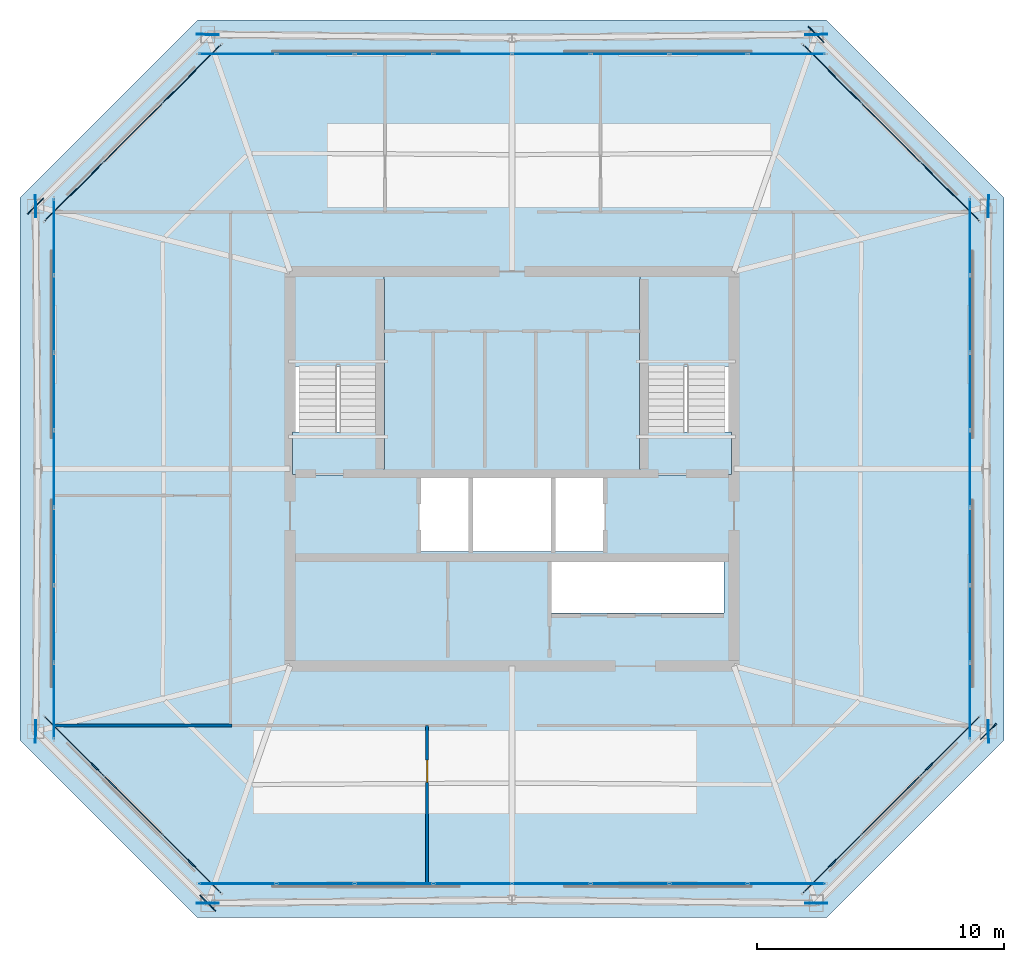
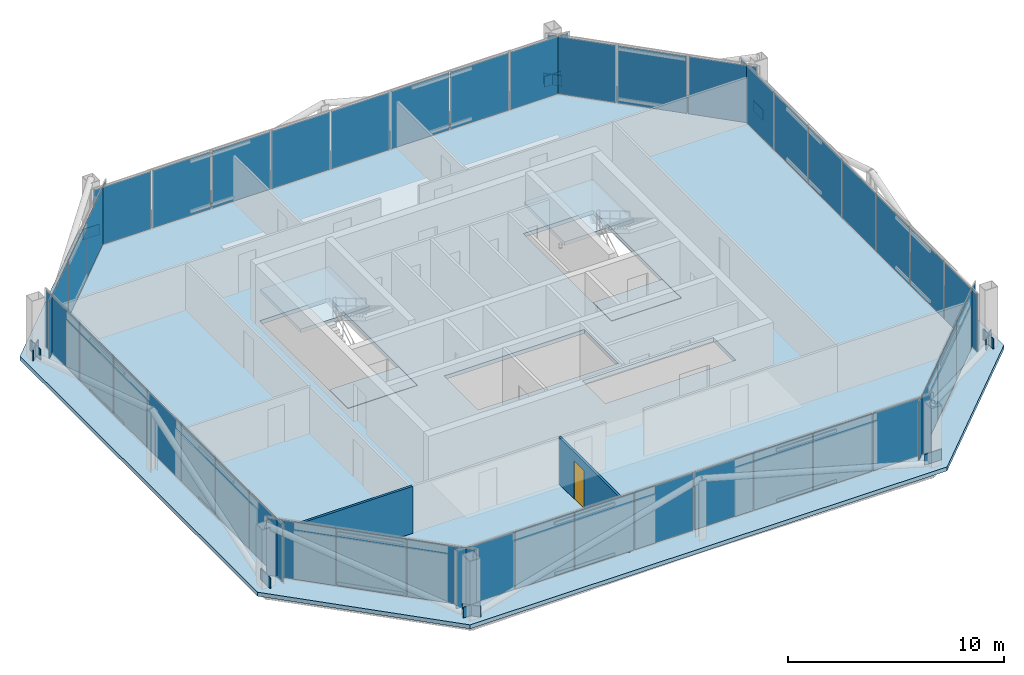
# One storey, part 22 of 26: 54 plates, 5 slabs, 2 walls, 1 door, 1 opening, 10 elements without a shape of their own.
"""IFC4 building model written with IfcOpenShell, lengths in metres."""

from ifc_helpers import new_model, si_unit, direction, frame, frame_2d, origin, origin_2d, place, context, subcontext, project, spatial, polyline, rectangle, outline, extrude, material, layer, layer_set, type_object, element, fill, aggregate, save


model = new_model("IFC4")

# Units and contexts
model_context = context("Model", 3, precision=1e-05, world=origin(), true_north=direction((0.0, 1.0)))
body_context = subcontext(model_context, "Body", "Model", "MODEL_VIEW")
ifc_project = project(units=[si_unit("LENGTHUNIT", "METRE"), si_unit("AREAUNIT", "SQUARE_METRE"), si_unit("VOLUMEUNIT", "CUBIC_METRE"), si_unit("PLANEANGLEUNIT", "RADIAN"), si_unit("MASSUNIT", "GRAM", prefix="KILO")], contexts=[model_context])

# Site, building, storey
site_placement = place(None, origin())
site = spatial("IfcSite", under=ifc_project, at=site_placement, CompositionType="ELEMENT")
building_placement = place(site_placement, origin())
building = spatial("IfcBuilding", under=site, at=building_placement, Name="Caelvoria Tower", CompositionType="ELEMENT")
storey_placement = place(building_placement, frame((0.0, 0.0, 239.39990234375)))
storey = spatial("IfcBuildingStorey", under=building, at=storey_placement, Name="L63", CompositionType="ELEMENT", Elevation=239.39990234375)

# Curtain wall, plates
ifc_material_1 = material(Name="Anodised Bronze Aluminium and Low-E Glass", Category="aluminium")
ifc_layer_1 = layer(ifc_material_1, 0.175048828125, Name="Anodised Bronze Aluminium and Low-E Glass")
ifc_layer_set_1 = layer_set([ifc_layer_1], Name="CW System 4 High-Zone Tapered Crystal Facade - Anodised Bronze Aluminium and Low-E Glass")
curtain_wall_type = type_object("IfcCurtainWallType", Name="CW System 4 High-Zone Tapered Crystal Facade", PredefinedType="NOTDEFINED", material=ifc_layer_set_1)
curtain_wall_1_placement = place(storey_placement, origin())
curtain_wall_1 = element("IfcCurtainWall", 1, at=curtain_wall_1_placement, inside=storey, type_object=curtain_wall_type, Name="CW-04 Curtain Wall L63-E0", PredefinedType="NOTDEFINED")
ifc_material_2 = material(Name="Anodised Bronze Insulated Aluminium Panel", Category="aluminium")
ifc_layer_2 = layer(ifc_material_2, 0.031982421875, Name="Anodised Bronze Insulated Aluminium Panel")
ifc_layer_set_2 = layer_set([ifc_layer_2], Name="Insulated Bronze Spandrel Curtain Panel 32 - Anodised Bronze Insulated Aluminium Panel")
plate_type_1 = type_object("IfcPlateType", Name="Insulated Bronze Spandrel Curtain Panel 32", PredefinedType="CURTAIN_PANEL", material=ifc_layer_set_2)
plate_1_placement = place(storey_placement, frame((34.860107421875, 15.179931640625, 0.06494140625), z_axis=(0.0, 0.0, 1.0), x_axis=(1.0, 0.0, 0.0)))
plate_1 = element("IfcPlate", 2, at=plate_1_placement, type_object=plate_type_1, Name="CW-04 panel 1.1", PredefinedType="CURTAIN_PANEL", context=body_context, shape_type="SweptSolid", body=[
    extrude(rectangle(XDim=3.090087890625, YDim=0.031982421875, at=origin_2d()), origin(), (0.0, 0.0, 1.0), 3.2451171875),
])
plate_2_placement = place(storey_placement, frame((38.03125, 15.179931640625, 0.06494140625), z_axis=(0.0, 0.0, 1.0), x_axis=(1.0, 0.0, 0.0)))
plate_2 = element("IfcPlate", 3, at=plate_2_placement, type_object=plate_type_1, Name="CW-04 panel 2.1", PredefinedType="CURTAIN_PANEL", context=body_context, shape_type="SweptSolid", body=[
    extrude(rectangle(XDim=3.12255859375, YDim=0.031982421875, at=origin_2d()), origin(), (0.0, 0.0, 1.0), 3.2451171875),
])
plate_3_placement = place(storey_placement, frame((41.21875, 15.179931640625, 0.06494140625), z_axis=(0.0, 0.0, 1.0), x_axis=(1.0, 0.0, 0.0)))
plate_3 = element("IfcPlate", 4, at=plate_3_placement, type_object=plate_type_1, Name="CW-04 panel 3.1", PredefinedType="CURTAIN_PANEL", context=body_context, shape_type="SweptSolid", body=[
    extrude(rectangle(XDim=3.12255859375, YDim=0.031982421875, at=origin_2d()), origin(), (0.0, 0.0, 1.0), 3.2451171875),
])
plate_4_placement = place(storey_placement, frame((44.40625, 15.179931640625, 0.06494140625), z_axis=(0.0, 0.0, 1.0), x_axis=(1.0, 0.0, 0.0)))
plate_4 = element("IfcPlate", 5, at=plate_4_placement, type_object=plate_type_1, Name="CW-04 panel 4.1", PredefinedType="CURTAIN_PANEL", context=body_context, shape_type="SweptSolid", body=[
    extrude(rectangle(XDim=3.12255859375, YDim=0.031982421875, at=origin_2d()), origin(), (0.0, 0.0, 1.0), 3.2451171875),
])
plate_5_placement = place(storey_placement, frame((47.59375, 15.179931640625, 0.06494140625), z_axis=(0.0, 0.0, 1.0), x_axis=(1.0, 0.0, 0.0)))
plate_5 = element("IfcPlate", 6, at=plate_5_placement, type_object=plate_type_1, Name="CW-04 panel 5.1", PredefinedType="CURTAIN_PANEL", context=body_context, shape_type="SweptSolid", body=[
    extrude(rectangle(XDim=3.12255859375, YDim=0.031982421875, at=origin_2d()), origin(), (0.0, 0.0, 1.0), 3.2451171875),
])
plate_6_placement = place(storey_placement, frame((50.78125, 15.179931640625, 0.06494140625), z_axis=(0.0, 0.0, 1.0), x_axis=(1.0, 0.0, 0.0)))
plate_6 = element("IfcPlate", 7, at=plate_6_placement, type_object=plate_type_1, Name="CW-04 panel 6.1", PredefinedType="CURTAIN_PANEL", context=body_context, shape_type="SweptSolid", body=[
    extrude(rectangle(XDim=3.12255859375, YDim=0.031982421875, at=origin_2d()), origin(), (0.0, 0.0, 1.0), 3.2451171875),
])
plate_7_placement = place(storey_placement, frame((53.96875, 15.179931640625, 0.06494140625), z_axis=(0.0, 0.0, 1.0), x_axis=(1.0, 0.0, 0.0)))
plate_7 = element("IfcPlate", 8, at=plate_7_placement, type_object=plate_type_1, Name="CW-04 panel 7.1", PredefinedType="CURTAIN_PANEL", context=body_context, shape_type="SweptSolid", body=[
    extrude(rectangle(XDim=3.12255859375, YDim=0.031982421875, at=origin_2d()), origin(), (0.0, 0.0, 1.0), 3.2451171875),
])
plate_8_placement = place(storey_placement, frame((57.139892578125, 15.179931640625, 0.06494140625), z_axis=(0.0, 0.0, 1.0), x_axis=(1.0, 0.0, 0.0)))
plate_8 = element("IfcPlate", 9, at=plate_8_placement, type_object=plate_type_1, Name="CW-04 panel 8.1", PredefinedType="CURTAIN_PANEL", context=body_context, shape_type="SweptSolid", body=[
    extrude(rectangle(XDim=3.090087890625, YDim=0.031982421875, at=origin_2d()), origin(), (0.0, 0.0, 1.0), 3.2451171875),
])
aggregate(curtain_wall_1, [plate_1, plate_2, plate_3, plate_4, plate_5, plate_6, plate_7, plate_8])

curtain_wall_2_placement = place(storey_placement, origin())
curtain_wall_2 = element("IfcCurtainWall", 10, at=curtain_wall_2_placement, inside=storey, type_object=curtain_wall_type, Name="CW-04 Curtain Wall L63-E1", PredefinedType="NOTDEFINED")
plate_9_placement = place(storey_placement, frame((58.985595703125, 15.9873046875, 0.06494140625), z_axis=(0.0, 0.0, 1.0), x_axis=(0.707106781187, 0.707106781187, 0.0)))
plate_9 = element("IfcPlate", 11, at=plate_9_placement, type_object=plate_type_1, Name="CW-04 panel 1.1", PredefinedType="CURTAIN_PANEL", context=body_context, shape_type="SweptSolid", body=[
    extrude(rectangle(XDim=3.296630859375, YDim=0.031982421875, at=origin_2d()), origin(), (0.0, 0.0, 1.0), 3.2451171875),
])
plate_10_placement = place(storey_placement, frame((61.374267578125, 18.375732421875, 0.06494140625), z_axis=(0.0, 0.0, 1.0), x_axis=(0.707106781187, 0.707106781187, 0.0)))
plate_10 = element("IfcPlate", 12, at=plate_10_placement, type_object=plate_type_1, Name="CW-04 panel 2.1", PredefinedType="CURTAIN_PANEL", context=body_context, shape_type="SweptSolid", body=[
    extrude(rectangle(XDim=3.3291015625, YDim=0.031982421875, at=origin_2d()), origin(), (0.0, 0.0, 1.0), 3.2451171875),
])
plate_11_placement = place(storey_placement, frame((63.7626953125, 20.764404296875, 0.06494140625), z_axis=(0.0, 0.0, 1.0), x_axis=(0.707106781187, 0.707106781187, 0.0)))
plate_11 = element("IfcPlate", 13, at=plate_11_placement, type_object=plate_type_1, Name="CW-04 panel 3.1", PredefinedType="CURTAIN_PANEL", context=body_context, shape_type="SweptSolid", body=[
    extrude(rectangle(XDim=3.296630859375, YDim=0.031982421875, at=origin_2d()), origin(), (0.0, 0.0, 1.0), 3.2451171875),
])
aggregate(curtain_wall_2, [plate_9, plate_10, plate_11])

curtain_wall_3_placement = place(storey_placement, origin())
curtain_wall_3 = element("IfcCurtainWall", 14, at=curtain_wall_3_placement, inside=storey, type_object=curtain_wall_type, Name="CW-04 Curtain Wall L63-E2", PredefinedType="NOTDEFINED")
plate_12_placement = place(storey_placement, frame((64.570068359375, 22.587646484375, 0.06494140625), z_axis=(0.0, 0.0, 1.0), x_axis=(0.0, 1.0, 0.0)))
plate_12 = element("IfcPlate", 15, at=plate_12_placement, type_object=plate_type_1, Name="CW-04 panel 1.1", PredefinedType="CURTAIN_PANEL", context=body_context, shape_type="SweptSolid", body=[
    extrude(rectangle(XDim=3.04541015625, YDim=0.031982421875, at=origin_2d()), origin(), (0.0, 0.0, 1.0), 3.2451171875),
])
plate_13_placement = place(storey_placement, frame((64.570068359375, 25.71435546875, 0.06494140625), z_axis=(0.0, 0.0, 1.0), x_axis=(0.0, 1.0, 0.0)))
plate_13 = element("IfcPlate", 16, at=plate_13_placement, type_object=plate_type_1, Name="CW-04 panel 2.1", PredefinedType="CURTAIN_PANEL", context=body_context, shape_type="SweptSolid", body=[
    extrude(rectangle(XDim=3.077880859375, YDim=0.031982421875, at=origin_2d()), origin(), (0.0, 0.0, 1.0), 3.2451171875),
])
plate_14_placement = place(storey_placement, frame((64.570068359375, 28.857177734375, 0.06494140625), z_axis=(0.0, 0.0, 1.0), x_axis=(0.0, 1.0, 0.0)))
plate_14 = element("IfcPlate", 17, at=plate_14_placement, type_object=plate_type_1, Name="CW-04 panel 3.1", PredefinedType="CURTAIN_PANEL", context=body_context, shape_type="SweptSolid", body=[
    extrude(rectangle(XDim=3.077880859375, YDim=0.031982421875, at=origin_2d()), origin(), (0.0, 0.0, 1.0), 3.2451171875),
])
plate_15_placement = place(storey_placement, frame((64.570068359375, 32.0, 0.06494140625), z_axis=(0.0, 0.0, 1.0), x_axis=(0.0, 1.0, 0.0)))
plate_15 = element("IfcPlate", 18, at=plate_15_placement, type_object=plate_type_1, Name="CW-04 panel 4.1", PredefinedType="CURTAIN_PANEL", context=body_context, shape_type="SweptSolid", body=[
    extrude(rectangle(XDim=3.077880859375, YDim=0.031982421875, at=origin_2d()), origin(), (0.0, 0.0, 1.0), 3.2451171875),
])
plate_16_placement = place(storey_placement, frame((64.570068359375, 35.142822265625, 0.06494140625), z_axis=(0.0, 0.0, 1.0), x_axis=(0.0, 1.0, 0.0)))
plate_16 = element("IfcPlate", 19, at=plate_16_placement, type_object=plate_type_1, Name="CW-04 panel 5.1", PredefinedType="CURTAIN_PANEL", context=body_context, shape_type="SweptSolid", body=[
    extrude(rectangle(XDim=3.077880859375, YDim=0.031982421875, at=origin_2d()), origin(), (0.0, 0.0, 1.0), 3.2451171875),
])
plate_17_placement = place(storey_placement, frame((64.570068359375, 38.28564453125, 0.06494140625), z_axis=(0.0, 0.0, 1.0), x_axis=(0.0, 1.0, 0.0)))
plate_17 = element("IfcPlate", 20, at=plate_17_placement, type_object=plate_type_1, Name="CW-04 panel 6.1", PredefinedType="CURTAIN_PANEL", context=body_context, shape_type="SweptSolid", body=[
    extrude(rectangle(XDim=3.077880859375, YDim=0.031982421875, at=origin_2d()), origin(), (0.0, 0.0, 1.0), 3.2451171875),
])
plate_18_placement = place(storey_placement, frame((64.570068359375, 41.412353515625, 0.06494140625), z_axis=(0.0, 0.0, 1.0), x_axis=(0.0, 1.0, 0.0)))
plate_18 = element("IfcPlate", 21, at=plate_18_placement, type_object=plate_type_1, Name="CW-04 panel 7.1", PredefinedType="CURTAIN_PANEL", context=body_context, shape_type="SweptSolid", body=[
    extrude(rectangle(XDim=3.04541015625, YDim=0.031982421875, at=origin_2d()), origin(), (0.0, 0.0, 1.0), 3.2451171875),
])
aggregate(curtain_wall_3, [plate_12, plate_13, plate_14, plate_15, plate_16, plate_17, plate_18])

curtain_wall_4_placement = place(storey_placement, origin())
curtain_wall_4 = element("IfcCurtainWall", 22, at=curtain_wall_4_placement, inside=storey, type_object=curtain_wall_type, Name="CW-04 Curtain Wall L63-E3", PredefinedType="NOTDEFINED")
plate_19_placement = place(storey_placement, frame((63.7626953125, 43.235595703125, 0.06494140625), z_axis=(0.0, 0.0, 1.0), x_axis=(-0.707106781187, 0.707106781187, 0.0)))
plate_19 = element("IfcPlate", 23, at=plate_19_placement, type_object=plate_type_1, Name="CW-04 panel 1.1", PredefinedType="CURTAIN_PANEL", context=body_context, shape_type="SweptSolid", body=[
    extrude(rectangle(XDim=3.296630859375, YDim=0.031982421875, at=origin_2d()), origin(), (0.0, 0.0, 1.0), 3.2451171875),
])
plate_20_placement = place(storey_placement, frame((61.374267578125, 45.624267578125, 0.06494140625), z_axis=(0.0, 0.0, 1.0), x_axis=(-0.707106781187, 0.707106781187, 0.0)))
plate_20 = element("IfcPlate", 24, at=plate_20_placement, type_object=plate_type_1, Name="CW-04 panel 2.1", PredefinedType="CURTAIN_PANEL", context=body_context, shape_type="SweptSolid", body=[
    extrude(rectangle(XDim=3.3291015625, YDim=0.031982421875, at=origin_2d()), origin(), (0.0, 0.0, 1.0), 3.2451171875),
])
plate_21_placement = place(storey_placement, frame((58.985595703125, 48.0126953125, 0.06494140625), z_axis=(0.0, 0.0, 1.0), x_axis=(-0.707106781187, 0.707106781187, 0.0)))
plate_21 = element("IfcPlate", 25, at=plate_21_placement, type_object=plate_type_1, Name="CW-04 panel 3.1", PredefinedType="CURTAIN_PANEL", context=body_context, shape_type="SweptSolid", body=[
    extrude(rectangle(XDim=3.296630859375, YDim=0.031982421875, at=origin_2d()), origin(), (0.0, 0.0, 1.0), 3.2451171875),
])
aggregate(curtain_wall_4, [plate_19, plate_20, plate_21])

curtain_wall_5_placement = place(storey_placement, origin())
curtain_wall_5 = element("IfcCurtainWall", 26, at=curtain_wall_5_placement, inside=storey, type_object=curtain_wall_type, Name="CW-04 Curtain Wall L63-E4", PredefinedType="NOTDEFINED")
plate_22_placement = place(storey_placement, frame((57.139892578125, 48.820068359375, 0.06494140625), z_axis=(0.0, 0.0, 1.0), x_axis=(-1.0, 0.0, 0.0)))
plate_22 = element("IfcPlate", 27, at=plate_22_placement, type_object=plate_type_1, Name="CW-04 panel 1.1", PredefinedType="CURTAIN_PANEL", context=body_context, shape_type="SweptSolid", body=[
    extrude(rectangle(XDim=3.090087890625, YDim=0.031982421875, at=origin_2d()), origin(), (0.0, 0.0, 1.0), 3.2451171875),
])
plate_23_placement = place(storey_placement, frame((53.96875, 48.820068359375, 0.06494140625), z_axis=(0.0, 0.0, 1.0), x_axis=(-1.0, 0.0, 0.0)))
plate_23 = element("IfcPlate", 28, at=plate_23_placement, type_object=plate_type_1, Name="CW-04 panel 2.1", PredefinedType="CURTAIN_PANEL", context=body_context, shape_type="SweptSolid", body=[
    extrude(rectangle(XDim=3.12255859375, YDim=0.031982421875, at=origin_2d()), origin(), (0.0, 0.0, 1.0), 3.2451171875),
])
plate_24_placement = place(storey_placement, frame((50.78125, 48.820068359375, 0.06494140625), z_axis=(0.0, 0.0, 1.0), x_axis=(-1.0, 0.0, 0.0)))
plate_24 = element("IfcPlate", 29, at=plate_24_placement, type_object=plate_type_1, Name="CW-04 panel 3.1", PredefinedType="CURTAIN_PANEL", context=body_context, shape_type="SweptSolid", body=[
    extrude(rectangle(XDim=3.12255859375, YDim=0.031982421875, at=origin_2d()), origin(), (0.0, 0.0, 1.0), 3.2451171875),
])
plate_25_placement = place(storey_placement, frame((47.59375, 48.820068359375, 0.06494140625), z_axis=(0.0, 0.0, 1.0), x_axis=(-1.0, 0.0, 0.0)))
plate_25 = element("IfcPlate", 30, at=plate_25_placement, type_object=plate_type_1, Name="CW-04 panel 4.1", PredefinedType="CURTAIN_PANEL", context=body_context, shape_type="SweptSolid", body=[
    extrude(rectangle(XDim=3.12255859375, YDim=0.031982421875, at=origin_2d()), origin(), (0.0, 0.0, 1.0), 3.2451171875),
])
plate_26_placement = place(storey_placement, frame((44.40625, 48.820068359375, 0.06494140625), z_axis=(0.0, 0.0, 1.0), x_axis=(-1.0, 0.0, 0.0)))
plate_26 = element("IfcPlate", 31, at=plate_26_placement, type_object=plate_type_1, Name="CW-04 panel 5.1", PredefinedType="CURTAIN_PANEL", context=body_context, shape_type="SweptSolid", body=[
    extrude(rectangle(XDim=3.12255859375, YDim=0.031982421875, at=origin_2d()), origin(), (0.0, 0.0, 1.0), 3.2451171875),
])
plate_27_placement = place(storey_placement, frame((41.21875, 48.820068359375, 0.06494140625), z_axis=(0.0, 0.0, 1.0), x_axis=(-1.0, 0.0, 0.0)))
plate_27 = element("IfcPlate", 32, at=plate_27_placement, type_object=plate_type_1, Name="CW-04 panel 6.1", PredefinedType="CURTAIN_PANEL", context=body_context, shape_type="SweptSolid", body=[
    extrude(rectangle(XDim=3.12255859375, YDim=0.031982421875, at=origin_2d()), origin(), (0.0, 0.0, 1.0), 3.2451171875),
])
plate_28_placement = place(storey_placement, frame((38.03125, 48.820068359375, 0.06494140625), z_axis=(0.0, 0.0, 1.0), x_axis=(-1.0, 0.0, 0.0)))
plate_28 = element("IfcPlate", 33, at=plate_28_placement, type_object=plate_type_1, Name="CW-04 panel 7.1", PredefinedType="CURTAIN_PANEL", context=body_context, shape_type="SweptSolid", body=[
    extrude(rectangle(XDim=3.12255859375, YDim=0.031982421875, at=origin_2d()), origin(), (0.0, 0.0, 1.0), 3.2451171875),
])
plate_29_placement = place(storey_placement, frame((34.860107421875, 48.820068359375, 0.06494140625), z_axis=(0.0, 0.0, 1.0), x_axis=(-1.0, 0.0, 0.0)))
plate_29 = element("IfcPlate", 34, at=plate_29_placement, type_object=plate_type_1, Name="CW-04 panel 8.1", PredefinedType="CURTAIN_PANEL", context=body_context, shape_type="SweptSolid", body=[
    extrude(rectangle(XDim=3.090087890625, YDim=0.031982421875, at=origin_2d()), origin(), (0.0, 0.0, 1.0), 3.2451171875),
])
aggregate(curtain_wall_5, [plate_22, plate_23, plate_24, plate_25, plate_26, plate_27, plate_28, plate_29])

curtain_wall_6_placement = place(storey_placement, origin())
curtain_wall_6 = element("IfcCurtainWall", 35, at=curtain_wall_6_placement, inside=storey, type_object=curtain_wall_type, Name="CW-04 Curtain Wall L63-E5", PredefinedType="NOTDEFINED")
plate_30_placement = place(storey_placement, frame((33.014404296875, 48.0126953125, 0.06494140625), z_axis=(0.0, 0.0, 1.0), x_axis=(-0.707106781187, -0.707106781187, 0.0)))
plate_30 = element("IfcPlate", 36, at=plate_30_placement, type_object=plate_type_1, Name="CW-04 panel 1.1", PredefinedType="CURTAIN_PANEL", context=body_context, shape_type="SweptSolid", body=[
    extrude(rectangle(XDim=3.296630859375, YDim=0.031982421875, at=origin_2d()), origin(), (0.0, 0.0, 1.0), 3.2451171875),
])
plate_31_placement = place(storey_placement, frame((30.625732421875, 45.624267578125, 0.06494140625), z_axis=(0.0, 0.0, 1.0), x_axis=(-0.707106781187, -0.707106781187, 0.0)))
plate_31 = element("IfcPlate", 37, at=plate_31_placement, type_object=plate_type_1, Name="CW-04 panel 2.1", PredefinedType="CURTAIN_PANEL", context=body_context, shape_type="SweptSolid", body=[
    extrude(rectangle(XDim=3.3291015625, YDim=0.031982421875, at=origin_2d()), origin(), (0.0, 0.0, 1.0), 3.2451171875),
])
plate_32_placement = place(storey_placement, frame((28.2373046875, 43.235595703125, 0.06494140625), z_axis=(0.0, 0.0, 1.0), x_axis=(-0.707106781187, -0.707106781187, 0.0)))
plate_32 = element("IfcPlate", 38, at=plate_32_placement, type_object=plate_type_1, Name="CW-04 panel 3.1", PredefinedType="CURTAIN_PANEL", context=body_context, shape_type="SweptSolid", body=[
    extrude(rectangle(XDim=3.296630859375, YDim=0.031982421875, at=origin_2d()), origin(), (0.0, 0.0, 1.0), 3.2451171875),
])
aggregate(curtain_wall_6, [plate_30, plate_31, plate_32])

curtain_wall_7_placement = place(storey_placement, origin())
curtain_wall_7 = element("IfcCurtainWall", 39, at=curtain_wall_7_placement, inside=storey, type_object=curtain_wall_type, Name="CW-04 Curtain Wall L63-E6", PredefinedType="NOTDEFINED")
plate_33_placement = place(storey_placement, frame((27.429931640625, 41.412353515625, 0.06494140625), z_axis=(0.0, 0.0, 1.0), x_axis=(0.0, -1.0, 0.0)))
plate_33 = element("IfcPlate", 40, at=plate_33_placement, type_object=plate_type_1, Name="CW-04 panel 1.1", PredefinedType="CURTAIN_PANEL", context=body_context, shape_type="SweptSolid", body=[
    extrude(rectangle(XDim=3.04541015625, YDim=0.031982421875, at=origin_2d()), origin(), (0.0, 0.0, 1.0), 3.2451171875),
])
plate_34_placement = place(storey_placement, frame((27.429931640625, 38.28564453125, 0.06494140625), z_axis=(0.0, 0.0, 1.0), x_axis=(0.0, -1.0, 0.0)))
plate_34 = element("IfcPlate", 41, at=plate_34_placement, type_object=plate_type_1, Name="CW-04 panel 2.1", PredefinedType="CURTAIN_PANEL", context=body_context, shape_type="SweptSolid", body=[
    extrude(rectangle(XDim=3.077880859375, YDim=0.031982421875, at=origin_2d()), origin(), (0.0, 0.0, 1.0), 3.2451171875),
])
plate_35_placement = place(storey_placement, frame((27.429931640625, 35.142822265625, 0.06494140625), z_axis=(0.0, 0.0, 1.0), x_axis=(0.0, -1.0, 0.0)))
plate_35 = element("IfcPlate", 42, at=plate_35_placement, type_object=plate_type_1, Name="CW-04 panel 3.1", PredefinedType="CURTAIN_PANEL", context=body_context, shape_type="SweptSolid", body=[
    extrude(rectangle(XDim=3.077880859375, YDim=0.031982421875, at=origin_2d()), origin(), (0.0, 0.0, 1.0), 3.2451171875),
])
plate_36_placement = place(storey_placement, frame((27.429931640625, 32.0, 0.06494140625), z_axis=(0.0, 0.0, 1.0), x_axis=(0.0, -1.0, 0.0)))
plate_36 = element("IfcPlate", 43, at=plate_36_placement, type_object=plate_type_1, Name="CW-04 panel 4.1", PredefinedType="CURTAIN_PANEL", context=body_context, shape_type="SweptSolid", body=[
    extrude(rectangle(XDim=3.077880859375, YDim=0.031982421875, at=origin_2d()), origin(), (0.0, 0.0, 1.0), 3.2451171875),
])
plate_37_placement = place(storey_placement, frame((27.429931640625, 28.857177734375, 0.06494140625), z_axis=(0.0, 0.0, 1.0), x_axis=(0.0, -1.0, 0.0)))
plate_37 = element("IfcPlate", 44, at=plate_37_placement, type_object=plate_type_1, Name="CW-04 panel 5.1", PredefinedType="CURTAIN_PANEL", context=body_context, shape_type="SweptSolid", body=[
    extrude(rectangle(XDim=3.077880859375, YDim=0.031982421875, at=origin_2d()), origin(), (0.0, 0.0, 1.0), 3.2451171875),
])
plate_38_placement = place(storey_placement, frame((27.429931640625, 25.71435546875, 0.06494140625), z_axis=(0.0, 0.0, 1.0), x_axis=(0.0, -1.0, 0.0)))
plate_38 = element("IfcPlate", 45, at=plate_38_placement, type_object=plate_type_1, Name="CW-04 panel 6.1", PredefinedType="CURTAIN_PANEL", context=body_context, shape_type="SweptSolid", body=[
    extrude(rectangle(XDim=3.077880859375, YDim=0.031982421875, at=origin_2d()), origin(), (0.0, 0.0, 1.0), 3.2451171875),
])
plate_39_placement = place(storey_placement, frame((27.429931640625, 22.587646484375, 0.06494140625), z_axis=(0.0, 0.0, 1.0), x_axis=(0.0, -1.0, 0.0)))
plate_39 = element("IfcPlate", 46, at=plate_39_placement, type_object=plate_type_1, Name="CW-04 panel 7.1", PredefinedType="CURTAIN_PANEL", context=body_context, shape_type="SweptSolid", body=[
    extrude(rectangle(XDim=3.04541015625, YDim=0.031982421875, at=origin_2d()), origin(), (0.0, 0.0, 1.0), 3.2451171875),
])
aggregate(curtain_wall_7, [plate_33, plate_34, plate_35, plate_36, plate_37, plate_38, plate_39])

curtain_wall_8_placement = place(storey_placement, origin())
curtain_wall_8 = element("IfcCurtainWall", 47, at=curtain_wall_8_placement, inside=storey, type_object=curtain_wall_type, Name="CW-04 Curtain Wall L63-E7", PredefinedType="NOTDEFINED")
plate_40_placement = place(storey_placement, frame((28.2373046875, 20.764404296875, 0.06494140625), z_axis=(0.0, 0.0, 1.0), x_axis=(0.707106781187, -0.707106781187, 0.0)))
plate_40 = element("IfcPlate", 48, at=plate_40_placement, type_object=plate_type_1, Name="CW-04 panel 1.1", PredefinedType="CURTAIN_PANEL", context=body_context, shape_type="SweptSolid", body=[
    extrude(rectangle(XDim=3.296630859375, YDim=0.031982421875, at=origin_2d()), origin(), (0.0, 0.0, 1.0), 3.2451171875),
])
plate_41_placement = place(storey_placement, frame((30.625732421875, 18.375732421875, 0.06494140625), z_axis=(0.0, 0.0, 1.0), x_axis=(0.707106781187, -0.707106781187, 0.0)))
plate_41 = element("IfcPlate", 49, at=plate_41_placement, type_object=plate_type_1, Name="CW-04 panel 2.1", PredefinedType="CURTAIN_PANEL", context=body_context, shape_type="SweptSolid", body=[
    extrude(rectangle(XDim=3.3291015625, YDim=0.031982421875, at=origin_2d()), origin(), (0.0, 0.0, 1.0), 3.2451171875),
])
plate_42_placement = place(storey_placement, frame((33.014404296875, 15.9873046875, 0.06494140625), z_axis=(0.0, 0.0, 1.0), x_axis=(0.707106781187, -0.707106781187, 0.0)))
plate_42 = element("IfcPlate", 50, at=plate_42_placement, type_object=plate_type_1, Name="CW-04 panel 3.1", PredefinedType="CURTAIN_PANEL", context=body_context, shape_type="SweptSolid", body=[
    extrude(rectangle(XDim=3.296630859375, YDim=0.031982421875, at=origin_2d()), origin(), (0.0, 0.0, 1.0), 3.2451171875),
])
aggregate(curtain_wall_8, [plate_40, plate_41, plate_42])

# Plates
ifc_material_3 = material(Name="Structural Steel ASTM A572 Gr.50", Category="steel")
ifc_layer_3 = layer(ifc_material_3, 0.0400390625, Name="Structural Steel ASTM A572 Gr.50")
ifc_layer_set_3 = layer_set([ifc_layer_3], Name="Megaframe Node Gusset Plate 900x600x40 - Structural Steel ASTM A572 Gr.50")
plate_type_2 = type_object("IfcPlateType", Name="Megaframe Node Gusset Plate 900x600x40", PredefinedType="USERDEFINED", material=ifc_layer_set_3)
for number, where, z_axis, x_axis, name in (
    (51, (65.319580078125, 21.34765625, 0.02001953125), (0.0, 0.0, 1.0), (-0.708358317156, -0.705853026143, 0.0), "Chamfer Mega Brace Gusset L63 SE"),
    (52, (58.3369140625, 49.6103515625, 0.02001953125), (0.0, 0.0, 1.0), (0.708358317156, -0.705853026143, 0.0), "Chamfer Mega Brace Gusset L63 NE"),
    (53, (26.680419921875, 42.65234375, 0.02001953125), (0.0, 0.0, 1.0), (0.708358317156, 0.705853026143, 0.0), "Chamfer Mega Brace Gusset L63 NW"),
    (54, (33.6630859375, 14.3896484375, 0.02001953125), (0.0, 0.0, 1.0), (-0.708358317156, 0.705853026143, 0.0), "Chamfer Mega Brace Gusset L63 SW"),
    (55, (33.6630859375, 14.3896484375, 0.050048828125), (0.0, 0.0, 1.0), (0.999944233292, 0.010560790986, 0.0), "Megaframe Node Gusset Plate ND-04"),
    (56, (58.3369140625, 14.3896484375, 0.050048828125), (0.0, 0.0, 1.0), (-0.999944233292, 0.010560790986, 0.0), "Megaframe Node Gusset Plate ND-04"),
    (57, (65.319580078125, 21.34765625, 0.050048828125), (0.0, 0.0, 1.0), (-0.008401916164, 0.999964703279, 0.0), "Megaframe Node Gusset Plate ND-04"),
    (58, (65.319580078125, 42.65234375, 0.050048828125), (0.0, 0.0, 1.0), (-0.008401916164, -0.999964703279, 0.0), "Megaframe Node Gusset Plate ND-04"),
    (59, (58.3369140625, 49.6103515625, 0.050048828125), (0.0, 0.0, 1.0), (-0.999944233292, -0.010560790986, 0.0), "Megaframe Node Gusset Plate ND-04"),
    (60, (33.6630859375, 49.6103515625, 0.050048828125), (0.0, 0.0, 1.0), (0.999944233292, -0.010560790986, 0.0), "Megaframe Node Gusset Plate ND-04"),
    (61, (26.680419921875, 42.65234375, 0.050048828125), (0.0, 0.0, 1.0), (0.008401916164, -0.999964703279, 0.0), "Megaframe Node Gusset Plate ND-04"),
    (62, (26.680419921875, 21.34765625, 0.050048828125), (0.0, 0.0, 1.0), (0.008401916164, 0.999964703279, 0.0), "Megaframe Node Gusset Plate ND-04"),
):
    element("IfcPlate", number, at=place(storey_placement, frame(where, z_axis=z_axis, x_axis=x_axis)), inside=storey, type_object=plate_type_2, Name=name, ObjectType="GUSSET_PLATE", PredefinedType="USERDEFINED", context=body_context, shape_type="SweptSolid", body=[
        extrude(rectangle(XDim=0.89990234375, YDim=0.0400390625, at=origin_2d()), origin(), (0.0, 0.0, 1.0), 0.60009765625),
    ])

# Stair, slabs
ifc_material_4 = material(Name="Concrete C40/50", Category="concrete")
stair_type = type_object("IfcStairType", Name="Core Smokeproof Dogleg Stair Concrete C40/50", PredefinedType="HALF_TURN_STAIR", material=ifc_material_4)
stair_1_placement = place(storey_placement, origin())
stair_1 = element("IfcStair", 63, at=stair_1_placement, inside=storey, type_object=stair_type, Name="ST-01 Smokeproof Exit Stair L63", PredefinedType="HALF_TURN_STAIR")
ifc_layer_4 = layer(ifc_material_4, 0.199951171875, Name="Concrete C40/50")
ifc_layer_set_4 = layer_set([ifc_layer_4], Name="Stair Half and Floor Landing Slab 200 Concrete C40/50 - Concrete C40/50")
slab_type_1 = type_object("IfcSlabType", Name="Stair Half and Floor Landing Slab 200 Concrete C40/50", PredefinedType="LANDING", material=ifc_layer_set_4)
slab_1_placement = place(storey_placement, frame((0.0, 0.0, -0.199951171875)))
slab_1 = element("IfcSlab", 64, at=slab_1_placement, type_object=slab_type_1, Name="ST-01 landing 1", PredefinedType="LANDING", context=body_context, shape_type="SweptSolid", body=[
    extrude(outline(polyline([(37.10009765625, 31.77001953125), (40.800048828125, 31.77001953125), (40.800048828125, 33.5), (37.10009765625, 33.5), (37.10009765625, 31.77001953125)])), origin(), (0.0, 0.0, 1.0), 0.199951171875),
])
slab_2_placement = place(storey_placement, frame((0.0, 0.0, 1.60009765625)))
slab_2 = element("IfcSlab", 65, at=slab_2_placement, type_object=slab_type_1, Name="ST-01 landing 2", PredefinedType="LANDING", context=body_context, shape_type="SweptSolid", body=[
    extrude(outline(polyline([(37.10009765625, 36.14990234375), (40.800048828125, 36.14990234375), (40.800048828125, 39.89990234375), (37.10009765625, 39.89990234375), (37.10009765625, 36.14990234375)])), origin(), (0.0, 0.0, 1.0), 0.199951171875),
])
aggregate(stair_1, [slab_1, slab_2])

stair_2_placement = place(storey_placement, origin())
stair_2 = element("IfcStair", 66, at=stair_2_placement, inside=storey, type_object=stair_type, Name="ST-02 Smokeproof Exit Stair L63", PredefinedType="HALF_TURN_STAIR")
slab_3_placement = place(storey_placement, frame((0.0, 0.0, -0.199951171875)))
slab_3 = element("IfcSlab", 67, at=slab_3_placement, type_object=slab_type_1, Name="ST-02 landing 1", PredefinedType="LANDING", context=body_context, shape_type="SweptSolid", body=[
    extrude(outline(polyline([(51.199951171875, 31.77001953125), (54.89990234375, 31.77001953125), (54.89990234375, 33.5), (51.199951171875, 33.5), (51.199951171875, 31.77001953125)])), origin(), (0.0, 0.0, 1.0), 0.199951171875),
])
slab_4_placement = place(storey_placement, frame((0.0, 0.0, 1.60009765625)))
slab_4 = element("IfcSlab", 68, at=slab_4_placement, type_object=slab_type_1, Name="ST-02 landing 2", PredefinedType="LANDING", context=body_context, shape_type="SweptSolid", body=[
    extrude(outline(polyline([(51.199951171875, 36.14990234375), (54.89990234375, 36.14990234375), (54.89990234375, 39.89990234375), (51.199951171875, 39.89990234375), (51.199951171875, 36.14990234375)])), origin(), (0.0, 0.0, 1.0), 0.199951171875),
])
aggregate(stair_2, [slab_3, slab_4])

# Slab
ifc_layer_5 = layer(ifc_material_4, 0.22509765625, Name="Concrete C40/50")
ifc_layer_set_5 = layer_set([ifc_layer_5], Name="Upper Tower Composite Office Slab 225 - Concrete C40/50")
slab_type_2 = type_object("IfcSlabType", Name="Upper Tower Composite Office Slab 225", PredefinedType="FLOOR", material=ifc_layer_set_5)
slab_5_placement = place(storey_placement, frame((0.0, 0.0, -0.224853515625)))
element("IfcSlab", 69, at=slab_5_placement, inside=storey, type_object=slab_type_2, Name="Level L63 Structural Floor Slab", PredefinedType="FLOOR", context=body_context, shape_type="SweptSolid", body=[
    extrude(outline(polyline([(33.25, 13.800048828125), (58.75, 13.800048828125), (65.949951171875, 21.0), (65.949951171875, 43.0), (58.75, 50.199951171875), (33.25, 50.199951171875), (26.050048828125, 43.0), (26.050048828125, 21.0), (33.25, 13.800048828125)]), holes=[polyline([(37.080078125, 31.75), (40.820068359375, 31.75), (40.820068359375, 39.919921875), (37.080078125, 39.919921875), (37.080078125, 31.75)]), polyline([(51.179931640625, 31.75), (54.919921875, 31.75), (54.919921875, 39.919921875), (51.179931640625, 39.919921875), (51.179931640625, 31.75)]), polyline([(42.25, 28.64990234375), (49.75, 28.64990234375), (49.75, 31.800048828125), (42.25, 31.800048828125), (42.25, 28.64990234375)]), polyline([(47.60009765625, 26.14990234375), (54.60009765625, 26.14990234375), (54.60009765625, 28.25), (47.60009765625, 28.25), (47.60009765625, 26.14990234375)])]), origin(), (0.0, 0.0, 1.0), 0.224853515625),
])

# Wall, opening, door
ifc_material_5 = material(Name="Acoustic Gypsum Board on Light-Gauge Stud", Category="gypsum")
ifc_layer_6 = layer(ifc_material_5, 0.1201171875, Name="Acoustic Gypsum Board on Light-Gauge Stud")
ifc_layer_set_6 = layer_set([ifc_layer_6], Name="Tenant Suite Acoustic Partition Wall 120 - Acoustic Gypsum Board on Light-Gauge Stud")
wall_type = type_object("IfcWallType", Name="Tenant Suite Acoustic Partition Wall 120", PredefinedType="PARTITIONING", material=ifc_layer_set_6)
wall_1_placement = place(storey_placement, frame((42.55908203125, 21.590087890625, 0.0), z_axis=(0.0, 0.0, 1.0), x_axis=(0.0, -1.0, 0.0)))
wall_1 = element("IfcWall", 70, at=wall_1_placement, inside=storey, type_object=wall_type, Name="Interior Partition IW-L63-SD-00-0", PredefinedType="PARTITIONING", context=body_context, shape_type="SweptSolid", body=[
    extrude(rectangle(XDim=6.41015625, YDim=0.1201171875, at=frame_2d((3.205078125, 0.0))), origin(), (0.0, 0.0, 1.0), 2.655029296875),
])
opening_placement = place(wall_1_placement, frame((1.39990234375, 0.0, 0.0)))
opening = element("IfcOpeningElement", 71, at=opening_placement, cuts=wall_1, Name="Opening ID-06", PredefinedType="OPENING", context=body_context, shape_type="SweptSolid", body=[
    extrude(rectangle(XDim=0.89990234375, YDim=2.14990234375, at=frame_2d((0.449951171875, 1.074951171875))), frame((0.0, 0.070068359375, 0.0), z_axis=(0.0, -1.0, 0.0), x_axis=(1.0, 0.0, 0.0)), (0.0, 0.0, 1.0), 0.14013671875),
])
ifc_material_6 = material(Name="Engineered Andean Oak Veneer Door", Category="wood")
door_type = type_object("IfcDoorType", Name="Interior Timber Door 900x2150", OperationType="NOTDEFINED", PredefinedType="DOOR", material=ifc_material_6)
door_placement = place(opening_placement, origin())
door = element("IfcDoor", 72, at=door_placement, inside=storey, type_object=door_type, Name="Interior Door DR-L63-SM-00-0", OperationType="SINGLE_SWING_RIGHT", OverallHeight=2.14990234375, OverallWidth=0.89990234375, PredefinedType="DOOR", context=body_context, shape_type="SweptSolid", body=[
    extrude(rectangle(XDim=0.89990234375, YDim=2.14990234375, at=frame_2d((0.449951171875, 1.074951171875))), frame((0.0, 0.02490234375, 0.0), z_axis=(0.0, -1.0, 0.0), x_axis=(1.0, 0.0, 0.0)), (0.0, 0.0, 1.0), 0.050048828125),
])
fill(opening, door)

# Wall
wall_2_placement = place(storey_placement, frame((34.64990234375, 21.590087890625, 0.0), z_axis=(0.0, 0.0, 1.0), x_axis=(-1.0, 0.0, 0.0)))
element("IfcWall", 73, at=wall_2_placement, inside=storey, type_object=wall_type, Name="Interior Partition IW-L63-BSW-0", PredefinedType="PARTITIONING", context=body_context, shape_type="SweptSolid", body=[
    extrude(rectangle(XDim=7.219970703125, YDim=0.1201171875, at=frame_2d((3.60986328125, 0.0))), origin(), (0.0, 0.0, 1.0), 2.655029296875),
])

save(model, "model.ifc")
